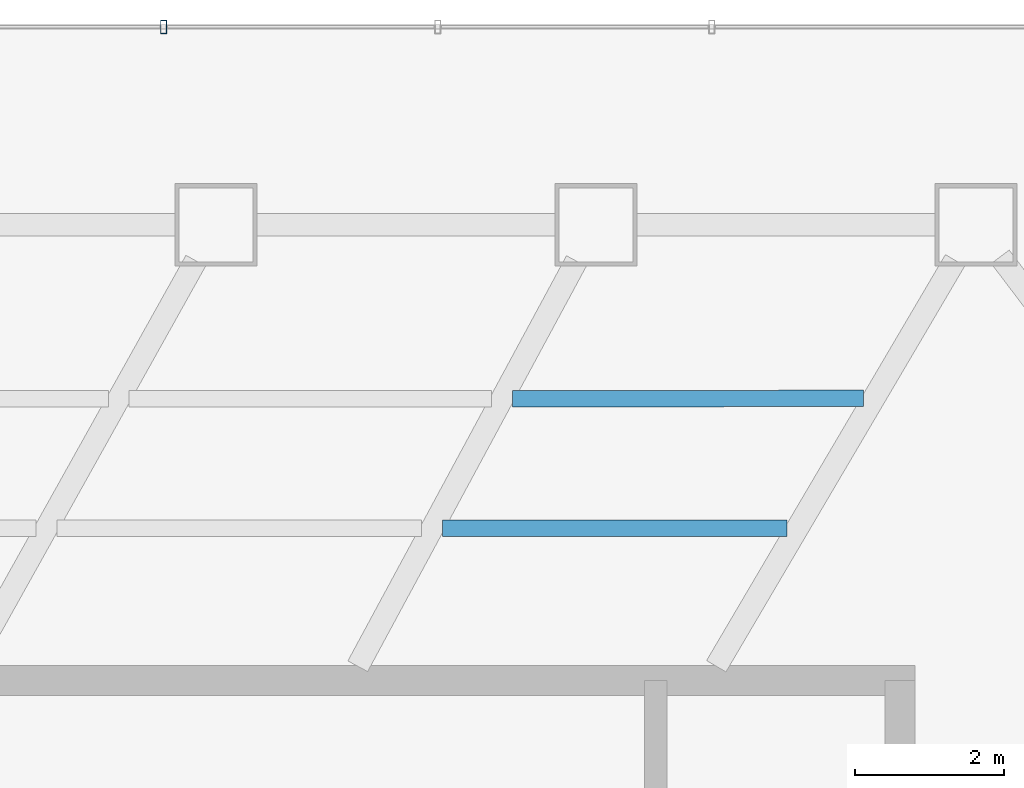
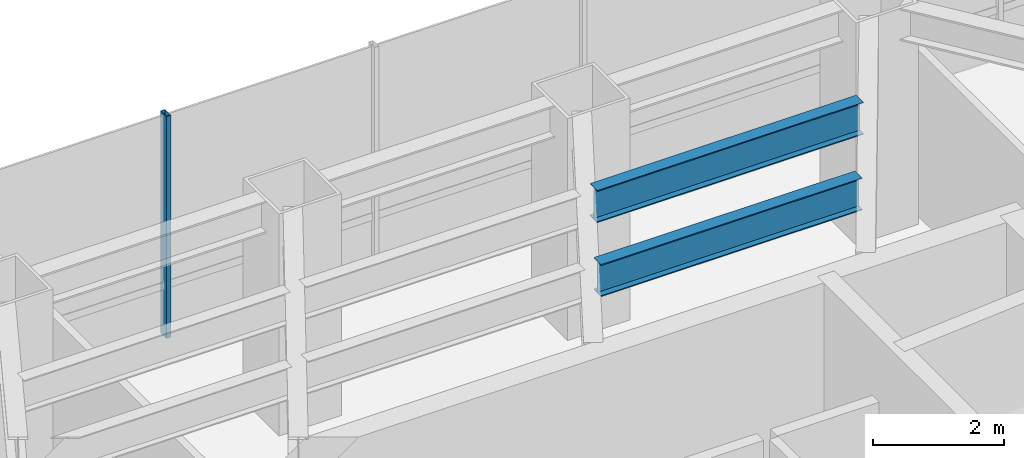
# One storey, part 23 of 43: 2 beams, 1 member, 1 element without a shape of its own.
"""IFC4 building model written with IfcOpenShell, lengths in metres."""

from ifc_helpers import new_model, si_unit, direction, frame, origin, origin_2d, place, context, subcontext, project, spatial, hollow_rectangle, i_section, extrude, material, layer, layer_set, material_profile, profile_set, type_object, element, aggregate, save


model = new_model("IFC4")

# Units and contexts
model_context = context("Model", 3, precision=1e-05, world=origin(), true_north=direction((0.0, 1.0)))
body_context = subcontext(model_context, "Body", "Model", "MODEL_VIEW")
ifc_project = project(units=[si_unit("LENGTHUNIT", "METRE"), si_unit("AREAUNIT", "SQUARE_METRE"), si_unit("VOLUMEUNIT", "CUBIC_METRE"), si_unit("PLANEANGLEUNIT", "RADIAN"), si_unit("MASSUNIT", "GRAM", prefix="KILO")], contexts=[model_context])

# Site, building, storey
site_placement = place(None, origin())
site = spatial("IfcSite", under=ifc_project, at=site_placement, CompositionType="ELEMENT")
building_placement = place(site_placement, origin())
building = spatial("IfcBuilding", under=site, at=building_placement, Name="Zarrinselat Tower", CompositionType="ELEMENT")
storey_placement = place(building_placement, frame((0.0, 0.0, 5.10009765625)))
storey = spatial("IfcBuildingStorey", under=building, at=storey_placement, Name="L01", CompositionType="ELEMENT", Elevation=5.10009765625)

# Beams
ifc_material_1 = material(Name="Steel S355J2", Category="steel")
ifc_material_profile_1 = material_profile(ifc_material_1, i_section(OverallWidth=0.219970703125, OverallDepth=0.60009765625, WebThickness=0.011962890625, FlangeThickness=0.01904296875, at=origin_2d()), Name="IPE 600")
ifc_profile_set_1 = profile_set([ifc_material_profile_1], Name="Steel S355J2")
beam_type = type_object("IfcBeamType", Name="BM-IPE600", PredefinedType="JOIST", material=ifc_profile_set_1)
beam_1_placement = place(storey_placement, frame((43.0712890625, 47.22021484375, 3.83984375), z_axis=(0.999999156338, 0.001298970119, 0.0), x_axis=(-0.001298970119, 0.999999156338, 0.0)))
element("IfcBeam", 1, at=beam_1_placement, inside=storey, type_object=beam_type, Name="L01 Composite Floor Joist 7-1", PredefinedType="JOIST", context=body_context, shape_type="SweptSolid", body=[
    extrude(i_section(OverallWidth=0.219970703125, OverallDepth=0.60009765625, WebThickness=0.011962890625, FlangeThickness=0.01904296875, at=origin_2d()), origin(), (0.0, 0.0, 1.0), 4.69873046875),
])
beam_2_placement = place(storey_placement, frame((42.135009765625, 45.484375, 3.83984375), z_axis=(0.999999763219, 0.000688158219, 0.0), x_axis=(-0.000688158219, 0.999999763219, 0.0)))
element("IfcBeam", 2, at=beam_2_placement, inside=storey, type_object=beam_type, Name="L01 Composite Floor Joist 7-2", PredefinedType="JOIST", context=body_context, shape_type="SweptSolid", body=[
    extrude(i_section(OverallWidth=0.219970703125, OverallDepth=0.60009765625, WebThickness=0.011962890625, FlangeThickness=0.01904296875, at=origin_2d()), origin(), (0.0, 0.0, 1.0), 4.612060546875),
])

# Curtain wall, member
ifc_material_2 = material(Name="Extruded Aluminium Alloy EN AW-6063 T6", Category="aluminium")
ifc_layer = layer(ifc_material_2, 0.2099609375)
ifc_layer_set = layer_set([ifc_layer], Name="Extruded Aluminium Alloy EN AW-6063 T6")
curtain_wall_type = type_object("IfcCurtainWallType", Name="CWS-POD", PredefinedType="NOTDEFINED", material=ifc_layer_set)
curtain_wall_placement = place(storey_placement, origin())
curtain_wall = element("IfcCurtainWall", 3, at=curtain_wall_placement, inside=storey, type_object=curtain_wall_type, Name="L01 Unitised Curtain Wall CW-L01-F5", PredefinedType="NOTDEFINED")
ifc_material_3 = material(Name="Extruded Aluminium Alloy EN AW-6063 T6", Category="aluminium")
ifc_material_profile_2 = material_profile(ifc_material_3, hollow_rectangle(XDim=0.080078125, YDim=0.179931640625, WallThickness=0.0048828125, at=origin_2d()), Name="RHS 180x80x5")
ifc_profile_set_2 = profile_set([ifc_material_profile_2], Name="Extruded Aluminium Alloy EN AW-6063 T6")
member_type = type_object("IfcMemberType", Name="MEM-CW-MUL", PredefinedType="MULLION", material=ifc_profile_set_2)
member_placement = place(storey_placement, frame((38.39990234375, 52.199951171875, 0.0), z_axis=(0.0, 0.0, 1.0), x_axis=(-1.0, 0.0, 0.0)))
member = element("IfcMember", 4, at=member_placement, type_object=member_type, Name="CW-L01-F5 Mullion 10", PredefinedType="MULLION", context=body_context, shape_type="SweptSolid", body=[
    extrude(hollow_rectangle(XDim=0.080078125, YDim=0.179931640625, WallThickness=0.0048828125, at=origin_2d()), origin(), (0.0, 0.0, 1.0), 4.139892578125),
])
aggregate(curtain_wall, [member])

save(model, "model.ifc")
